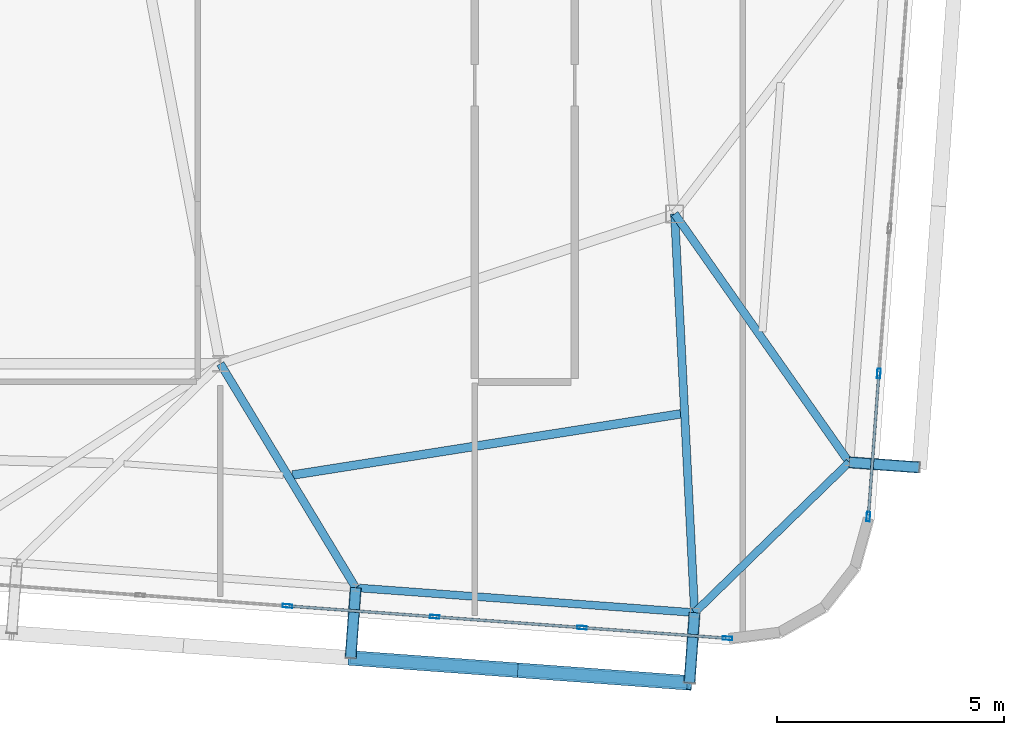
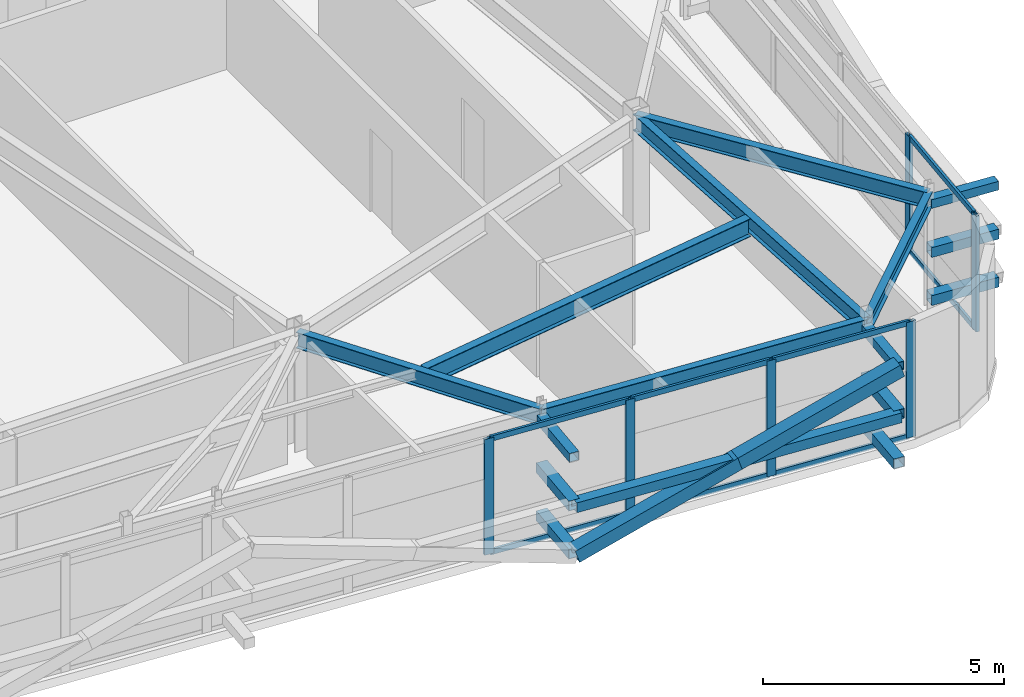
# One storey, part 19 of 42: 26 members, 6 beams, 2 elements without a shape of their own.
"""IFC4 building model written with IfcOpenShell, lengths in metres."""

from ifc_helpers import new_model, si_unit, direction, frame, origin, origin_2d, place, context, subcontext, project, spatial, hollow_rectangle, i_section, extrude, source, transform, mapped, material, layer, layer_set, material_profile, profile_set, type_object, element, aggregate, save


model = new_model("IFC4")

# Units and contexts
model_context = context("Model", 3, precision=1e-05, world=origin(), true_north=direction((0.0, 1.0)))
body_context = subcontext(model_context, "Body", "Model", "MODEL_VIEW")
ifc_project = project(units=[si_unit("LENGTHUNIT", "METRE"), si_unit("AREAUNIT", "SQUARE_METRE"), si_unit("VOLUMEUNIT", "CUBIC_METRE"), si_unit("PLANEANGLEUNIT", "RADIAN"), si_unit("MASSUNIT", "GRAM", prefix="KILO")], contexts=[model_context])

# Site, building, storey
site_placement = place(None, origin())
site = spatial("IfcSite", under=ifc_project, at=site_placement, CompositionType="ELEMENT")
building_placement = place(site_placement, origin())
building = spatial("IfcBuilding", under=site, at=building_placement, Name="Taldren Reach Tower", CompositionType="ELEMENT")
storey_placement = place(building_placement, frame((0.0, 0.0, 217.699951171875)))
storey = spatial("IfcBuildingStorey", under=building, at=storey_placement, Name="L66", CompositionType="ELEMENT", Elevation=217.699951171875)

# Members
ifc_material_1 = material(Name="Steel Gr 350 (C350L0)", Category="steel")
ifc_material_profile_1 = material_profile(ifc_material_1, hollow_rectangle(XDim=0.25, YDim=0.25, WallThickness=0.010009765625, at=origin_2d()), Name="250x250x10.0SHS")
ifc_profile_set_1 = profile_set([ifc_material_profile_1], Name="Steel Gr 350 (C350L0)")
member_type_1 = type_object("IfcMemberType", Name="MB-POST250", PredefinedType="POST", material=ifc_profile_set_1)
shared_shape_1 = source(origin(), body_context, "Body", "SweptSolid", [
    extrude(hollow_rectangle(XDim=0.25, YDim=0.25, WallThickness=0.010009765625, at=origin_2d()), origin(), (0.0, 0.0, 1.0), 1.550048828125),
])
for number, where, z_axis, x_axis, name in (
    (1, (44.980224609375, 4.26904296875, 0.219970703125), (-0.07323929162, -0.997314396849, 0.0), (0.997314396849, -0.07323929162, 0.0), "Exoskeleton base diaphragm tie strut B5-S5 L66"),
    (2, (52.440185546875, 3.72119140625, 0.219970703125), (-0.07323929162, -0.997314396849, 0.0), (0.997314396849, -0.07323929162, 0.0), "Exoskeleton base diaphragm tie strut B5-S6 L66"),
    (3, (44.980224609375, 4.26904296875, 1.43505859375), (-0.07323929162, -0.997314396849, 0.0), (0.997314396849, -0.07323929162, 0.0), "Exoskeleton mid-tier diaphragm tie B5-S5 L66"),
    (4, (52.440185546875, 3.72119140625, 1.43505859375), (-0.07323929162, -0.997314396849, 0.0), (0.997314396849, -0.07323929162, 0.0), "Exoskeleton mid-tier diaphragm tie B5-S6 L66"),
):
    element("IfcMember", number, at=place(storey_placement, frame(where, z_axis=z_axis, x_axis=x_axis)), inside=storey, type_object=member_type_1, Name=name, PredefinedType="POST", context=body_context, shape_type="MappedRepresentation", body=[
        mapped(shared_shape_1, transform((0.0, 0.0, 0.0), scale=1.0)),
    ])
ifc_material_2 = material(Name="Steel Gr 450 (C450L0)", Category="steel")
ifc_material_profile_2 = material_profile(ifc_material_2, hollow_rectangle(XDim=0.219970703125, YDim=0.219970703125, WallThickness=0.00830078125, at=origin_2d()), Name="220x220x8.2SHS")
ifc_profile_set_2 = profile_set([ifc_material_profile_2], Name="Steel Gr 450 (C450L0)")
member_type_2 = type_object("IfcMemberType", Name="MB-TIE219", PredefinedType="STRUT", material=ifc_profile_set_2)
shared_shape_2 = source(origin(), body_context, "Body", "SweptSolid", [
    extrude(hollow_rectangle(XDim=0.219970703125, YDim=0.219970703125, WallThickness=0.00830078125, at=origin_2d()), origin(), (0.0, 0.0, 1.0), 1.550048828125),
])
for number, where, z_axis, x_axis, name in (
    (5, (44.980224609375, 4.26904296875, 2.650146484375), (-0.07323929162, -0.997314396849, 0.0), (0.997314396849, -0.07323929162, 0.0), "Exoskeleton diaphragm tie strut B5-S5 L66"),
    (6, (52.440185546875, 3.72119140625, 2.650146484375), (-0.07323929162, -0.997314396849, 0.0), (0.997314396849, -0.07323929162, 0.0), "Exoskeleton diaphragm tie strut B5-S6 L66"),
):
    element("IfcMember", number, at=place(storey_placement, frame(where, z_axis=z_axis, x_axis=x_axis)), inside=storey, type_object=member_type_2, Name=name, PredefinedType="STRUT", context=body_context, shape_type="MappedRepresentation", body=[
        mapped(shared_shape_2, transform((0.0, 0.0, 0.0), scale=1.0)),
    ])

# Beams
ifc_material_3 = material(Name="Steel Gr 350 (350PLUS)", Category="steel")
ifc_material_profile_3 = material_profile(ifc_material_3, i_section(OverallWidth=0.172119140625, OverallDepth=0.35888671875, WebThickness=0.008056640625, FlangeThickness=0.012939453125, at=origin_2d()), Name="360UB56.7")
ifc_profile_set_3 = profile_set([ifc_material_profile_3], Name="Steel Gr 350 (350PLUS)")
beam_type_1 = type_object("IfcBeamType", Name="SP-UB360", PredefinedType="SPANDREL", material=ifc_profile_set_3)
shared_shape_3 = source(origin(), body_context, "Body", "SweptSolid", [
    extrude(i_section(OverallWidth=0.172119140625, OverallDepth=0.35888671875, WebThickness=0.008056640625, FlangeThickness=0.012939453125, at=origin_2d()), origin(), (0.0, 0.0, 1.0), 7.47998046875),
])
beam_1_placement = place(storey_placement, frame((44.980224609375, 4.26904296875, 2.75048828125), z_axis=(0.997314220642, -0.07324169103, 0.0), x_axis=(0.07324169103, 0.997314220642, 0.0)))
element("IfcBeam", 7, at=beam_1_placement, inside=storey, type_object=beam_type_1, Name="Perimeter spandrel B5 S5-S6 L66", PredefinedType="SPANDREL", context=body_context, shape_type="MappedRepresentation", body=[
    mapped(shared_shape_3, transform((0.0, 0.0, 0.0), scale=1.0)),
])
shared_shape_4 = source(origin(), body_context, "Body", "SweptSolid", [
    extrude(i_section(OverallWidth=0.172119140625, OverallDepth=0.35888671875, WebThickness=0.008056640625, FlangeThickness=0.012939453125, at=origin_2d()), origin(), (0.0, 0.0, 1.0), 4.74609375),
])
beam_2_placement = place(storey_placement, frame((52.440185546875, 3.72119140625, 2.75048828125), z_axis=(0.716711338436, 0.697369957309, 0.0), x_axis=(-0.697369957309, 0.716711338436, 0.0)))
element("IfcBeam", 8, at=beam_2_placement, inside=storey, type_object=beam_type_1, Name="Perimeter spandrel B5 S6-E1 L66", PredefinedType="SPANDREL", context=body_context, shape_type="MappedRepresentation", body=[
    mapped(shared_shape_4, transform((0.0, 0.0, 0.0), scale=1.0)),
])
ifc_material_profile_4 = material_profile(ifc_material_3, i_section(OverallWidth=0.177978515625, OverallDepth=0.406005859375, WebThickness=0.0078125, FlangeThickness=0.0126953125, at=origin_2d()), Name="410UB59.7")
ifc_profile_set_4 = profile_set([ifc_material_profile_4], Name="Steel Gr 350 (350PLUS)")
beam_type_2 = type_object("IfcBeamType", Name="BM-UB410", PredefinedType="BEAM", material=ifc_profile_set_4)
shared_shape_5 = source(origin(), body_context, "Body", "SweptSolid", [
    extrude(i_section(OverallWidth=0.177978515625, OverallDepth=0.406005859375, WebThickness=0.0078125, FlangeThickness=0.0126953125, at=origin_2d()), origin(), (0.0, 0.0, 1.0), 5.761474609375),
])
beam_3_placement = place(storey_placement, frame((42.0, 9.199951171875, 2.72705078125), z_axis=(0.517259852514, -0.855828396922, 0.0), x_axis=(0.855828396922, 0.517259852514, 0.0)))
element("IfcBeam", 9, at=beam_3_placement, inside=storey, type_object=beam_type_2, Name="Primary floor girder B5-S5 L66", PredefinedType="BEAM", context=body_context, shape_type="MappedRepresentation", body=[
    mapped(shared_shape_5, transform((0.0, 0.0, 0.0), scale=1.0)),
])
shared_shape_6 = source(origin(), body_context, "Body", "SweptSolid", [
    extrude(i_section(OverallWidth=0.177978515625, OverallDepth=0.406005859375, WebThickness=0.0078125, FlangeThickness=0.0126953125, at=origin_2d()), origin(), (0.0, 0.0, 1.0), 8.789794921875),
])
beam_4_placement = place(storey_placement, frame((52.0, 12.5, 2.72705078125), z_axis=(0.050078917367, -0.998745263836, 0.0), x_axis=(0.998745263836, 0.050078917367, 0.0)))
element("IfcBeam", 10, at=beam_4_placement, inside=storey, type_object=beam_type_2, Name="Primary floor girder B5-S6 L66", PredefinedType="BEAM", context=body_context, shape_type="MappedRepresentation", body=[
    mapped(shared_shape_6, transform((0.0, 0.0, 0.0), scale=1.0)),
])
shared_shape_7 = source(origin(), body_context, "Body", "SweptSolid", [
    extrude(i_section(OverallWidth=0.177978515625, OverallDepth=0.406005859375, WebThickness=0.0078125, FlangeThickness=0.0126953125, at=origin_2d()), origin(), (0.0, 0.0, 1.0), 6.68359375),
])
beam_5_placement = place(storey_placement, frame((52.0, 12.5, 2.72705078125), z_axis=(0.574817292651, -0.818281785249, 0.0), x_axis=(0.818281785249, 0.574817292651, 0.0)))
element("IfcBeam", 11, at=beam_5_placement, inside=storey, type_object=beam_type_2, Name="Primary floor girder B5-E1 L66", PredefinedType="BEAM", context=body_context, shape_type="MappedRepresentation", body=[
    mapped(shared_shape_7, transform((0.0, 0.0, 0.0), scale=1.0)),
])
ifc_material_profile_5 = material_profile(ifc_material_3, i_section(OverallWidth=0.19091796875, OverallDepth=0.4599609375, WebThickness=0.010009765625, FlangeThickness=0.01611328125, at=origin_2d()), Name="460UB82.1")
ifc_profile_set_5 = profile_set([ifc_material_profile_5], Name="Steel Gr 350 (350PLUS)")
beam_type_3 = type_object("IfcBeamType", Name="BM-UB460A", PredefinedType="BEAM", material=ifc_profile_set_5)
shared_shape_8 = source(origin(), body_context, "Body", "SweptSolid", [
    extrude(i_section(OverallWidth=0.19091796875, OverallDepth=0.4599609375, WebThickness=0.010009765625, FlangeThickness=0.01611328125, at=origin_2d()), origin(), (0.0, 0.0, 1.0), 8.65185546875),
])
beam_6_placement = place(storey_placement, frame((43.585205078125, 6.74951171875, 2.699951171875), z_axis=(0.987803200413, 0.155707537562, 0.0), x_axis=(-0.155707537562, 0.987803200413, 0.0)))
element("IfcBeam", 12, at=beam_6_placement, inside=storey, type_object=beam_type_3, Name="Secondary floor beam B5 J5 L66", PredefinedType="BEAM", context=body_context, shape_type="MappedRepresentation", body=[
    mapped(shared_shape_8, transform((0.0, 0.0, 0.0), scale=1.0)),
])

# Members
shared_shape_9 = source(origin(), body_context, "Body", "SweptSolid", [
    extrude(hollow_rectangle(XDim=0.219970703125, YDim=0.219970703125, WallThickness=0.00830078125, at=origin_2d()), origin(), (0.0, 0.0, 1.0), 1.546142578125),
])
member_1_placement = place(storey_placement, frame((55.845703125, 7.030517578125, 2.650146484375), z_axis=(0.997323903953, -0.073109716202, 0.0), x_axis=(0.073109716202, 0.997323903953, 0.0)))
element("IfcMember", 13, at=member_1_placement, inside=storey, type_object=member_type_2, Name="Exoskeleton diaphragm tie strut B5-E1 L66", PredefinedType="STRUT", context=body_context, shape_type="MappedRepresentation", body=[
    mapped(shared_shape_9, transform((0.0, 0.0, 0.0), scale=1.0)),
])
ifc_material_profile_6 = material_profile(ifc_material_2, hollow_rectangle(XDim=0.324951171875, YDim=0.324951171875, WallThickness=0.0126953125, at=origin_2d()), Name="325x325x12.7SHS")
ifc_profile_set_6 = profile_set([ifc_material_profile_6], Name="Steel Gr 450 (C450L0)")
member_type_3 = type_object("IfcMemberType", Name="MB-BR324", PredefinedType="BRACE", material=ifc_profile_set_6)
shared_shape_10 = source(origin(), body_context, "Body", "SweptSolid", [
    extrude(hollow_rectangle(XDim=0.324951171875, YDim=0.324951171875, WallThickness=0.0126953125, at=origin_2d()), origin(), (0.0, 0.0, 1.0), 3.932373046875),
])
for number, where, z_axis, x_axis, name in (
    (14, (44.86669921875, 2.72314453125, 0.219970703125), (0.948511132845, -0.069657644394, 0.308989390507), (0.07324169103, 0.997314220642, 0.0), "Exoskeleton Diagrid Brace B5-S5 L66"),
    (15, (48.5966796875, 2.44921875, 1.43505859375), (0.948511132845, -0.069657644394, 0.308989390507), (0.07324169103, 0.997314220642, 0.0), "Exoskeleton Diagrid Brace B5-S5 L66"),
):
    element("IfcMember", number, at=place(storey_placement, frame(where, z_axis=z_axis, x_axis=x_axis)), inside=storey, type_object=member_type_3, Name=name, PredefinedType="BRACE", context=body_context, shape_type="MappedRepresentation", body=[
        mapped(shared_shape_10, transform((0.0, 0.0, 0.0), scale=1.0)),
    ])
shared_shape_11 = source(origin(), body_context, "Body", "SweptSolid", [
    extrude(hollow_rectangle(XDim=0.25, YDim=0.25, WallThickness=0.010009765625, at=origin_2d()), origin(), (0.0, 0.0, 1.0), 7.47998046875),
])
member_2_placement = place(storey_placement, frame((44.86669921875, 2.72314453125, 1.43505859375), z_axis=(0.997314220642, -0.07324169103, 0.0), x_axis=(0.07324169103, 0.997314220642, 0.0)))
element("IfcMember", 16, at=member_2_placement, inside=storey, type_object=member_type_1, Name="Exoskeleton mid-height ring chord B5-S5 L66", PredefinedType="POST", context=body_context, shape_type="MappedRepresentation", body=[
    mapped(shared_shape_11, transform((0.0, 0.0, 0.0), scale=1.0)),
])
shared_shape_12 = source(origin(), body_context, "Body", "SweptSolid", [
    extrude(hollow_rectangle(XDim=0.25, YDim=0.25, WallThickness=0.010009765625, at=origin_2d()), origin(), (0.0, 0.0, 1.0), 1.546142578125),
])
for number, where, z_axis, x_axis, name in (
    (17, (55.845703125, 7.030517578125, 0.219970703125), (0.997323903953, -0.073109716202, 0.0), (0.073109716202, 0.997323903953, 0.0), "Exoskeleton base diaphragm tie strut B5-E1 L66"),
    (18, (55.845703125, 7.030517578125, 1.43505859375), (0.997323903953, -0.073109716202, 0.0), (0.073109716202, 0.997323903953, 0.0), "Exoskeleton mid-tier diaphragm tie B5-E1 L66"),
):
    element("IfcMember", number, at=place(storey_placement, frame(where, z_axis=z_axis, x_axis=x_axis)), inside=storey, type_object=member_type_1, Name=name, PredefinedType="POST", context=body_context, shape_type="MappedRepresentation", body=[
        mapped(shared_shape_12, transform((0.0, 0.0, 0.0), scale=1.0)),
    ])

# Curtain wall, members
ifc_material_4 = material(Name="Aluminium and Low-E Glass Unitised System", Category="aluminium")
ifc_layer = layer(ifc_material_4, 0.159912109375)
ifc_layer_set = layer_set([ifc_layer], Name="Aluminium and Low-E Glass Unitised System")
curtain_wall_type = type_object("IfcCurtainWallType", Name="CW-SYS-6", PredefinedType="NOTDEFINED", material=ifc_layer_set)
curtain_wall_1_placement = place(storey_placement, origin())
curtain_wall_1 = element("IfcCurtainWall", 19, at=curtain_wall_1_placement, inside=storey, type_object=curtain_wall_type, Name="Unitised curtain wall CW-L66-S", PredefinedType="NOTDEFINED")
ifc_material_5 = material(Name="Anodised Aluminium 6063-T6", Category="aluminium")
ifc_material_profile_7 = material_profile(ifc_material_5, hollow_rectangle(XDim=0.074951171875, YDim=0.2099609375, WallThickness=0.00439453125, at=origin_2d()), Name="ALU-210x75x4.5RHS")
ifc_profile_set_7 = profile_set([ifc_material_profile_7], Name="Anodised Aluminium 6063-T6")
member_type_4 = type_object("IfcMemberType", Name="CW-MUL-200", PredefinedType="MULLION", material=ifc_profile_set_7)
shared_shape_13 = source(origin(), body_context, "Body", "SweptSolid", [
    extrude(hollow_rectangle(XDim=0.074951171875, YDim=0.2099609375, WallThickness=0.00439453125, at=origin_2d()), origin(), (0.0, 0.0, 1.0), 2.929931640625),
])
member_3_placement = place(storey_placement, frame((43.476806640625, 3.867919921875, 0.0), z_axis=(0.0, 0.0, 1.0), x_axis=(0.073238213716, 0.997314476006, 0.0)))
member_3 = element("IfcMember", 20, at=member_3_placement, type_object=member_type_4, Name="CW-6 mullion 10", PredefinedType="MULLION", context=body_context, shape_type="MappedRepresentation", body=[
    mapped(shared_shape_13, transform((0.0, 0.0, 0.0), scale=1.0)),
])
member_4_placement = place(storey_placement, frame((46.71826171875, 3.6298828125, 0.0), z_axis=(0.0, 0.0, 1.0), x_axis=(0.073238213716, 0.997314476006, 0.0)))
member_4 = element("IfcMember", 21, at=member_4_placement, type_object=member_type_4, Name="CW-6 mullion 11", PredefinedType="MULLION", context=body_context, shape_type="MappedRepresentation", body=[
    mapped(shared_shape_13, transform((0.0, 0.0, 0.0), scale=1.0)),
])
member_5_placement = place(storey_placement, frame((49.95947265625, 3.391845703125, 0.0), z_axis=(0.0, 0.0, 1.0), x_axis=(0.073238213716, 0.997314476006, 0.0)))
member_5 = element("IfcMember", 22, at=member_5_placement, type_object=member_type_4, Name="CW-6 mullion 12", PredefinedType="MULLION", context=body_context, shape_type="MappedRepresentation", body=[
    mapped(shared_shape_13, transform((0.0, 0.0, 0.0), scale=1.0)),
])
member_6_placement = place(storey_placement, frame((53.163330078125, 3.15673828125, 0.0), z_axis=(0.0, 0.0, 1.0), x_axis=(0.073238213716, 0.997314476006, 0.0)))
member_6 = element("IfcMember", 23, at=member_6_placement, type_object=member_type_4, Name="CW-6 mullion 13", PredefinedType="MULLION", context=body_context, shape_type="MappedRepresentation", body=[
    mapped(shared_shape_13, transform((0.0, 0.0, 0.0), scale=1.0)),
])

curtain_wall_2_placement = place(storey_placement, origin())
curtain_wall_2 = element("IfcCurtainWall", 24, at=curtain_wall_2_placement, inside=storey, type_object=curtain_wall_type, Name="Unitised curtain wall CW-L66-E", PredefinedType="NOTDEFINED")
member_7_placement = place(storey_placement, frame((56.26513671875, 5.834228515625, 0.0), z_axis=(0.0, 0.0, 1.0), x_axis=(-0.997314470951, 0.073238282558, 0.0)))
member_7 = element("IfcMember", 25, at=member_7_placement, type_object=member_type_4, Name="CW-6 mullion 1", PredefinedType="MULLION", context=body_context, shape_type="MappedRepresentation", body=[
    mapped(shared_shape_13, transform((0.0, 0.0, 0.0), scale=1.0)),
])
member_8_placement = place(storey_placement, frame((56.496826171875, 8.98828125, 0.0), z_axis=(0.0, 0.0, 1.0), x_axis=(-0.997314470951, 0.073238282558, 0.0)))
member_8 = element("IfcMember", 26, at=member_8_placement, type_object=member_type_4, Name="CW-6 mullion 2", PredefinedType="MULLION", context=body_context, shape_type="MappedRepresentation", body=[
    mapped(shared_shape_13, transform((0.0, 0.0, 0.0), scale=1.0)),
])

# Member
ifc_material_profile_8 = material_profile(ifc_material_5, hollow_rectangle(XDim=0.06005859375, YDim=0.135009765625, WallThickness=0.00341796875, at=origin_2d()), Name="ALU-135x60x3.5RHS")
ifc_profile_set_8 = profile_set([ifc_material_profile_8], Name="Anodised Aluminium 6063-T6")
member_type_5 = type_object("IfcMemberType", Name="CW-TRN-150", PredefinedType="USERDEFINED", material=ifc_profile_set_8)
shared_shape_14 = source(origin(), body_context, "Body", "SweptSolid", [
    extrude(hollow_rectangle(XDim=0.06005859375, YDim=0.135009765625, WallThickness=0.00341796875, at=origin_2d()), origin(), (0.0, 0.0, 1.0), 3.1748046875),
])
member_9_placement = place(storey_placement, frame((43.514404296875, 3.865234375, 0.030029296875), z_axis=(0.997316632709, -0.073208839104, 0.0), x_axis=(0.073208839104, 0.997316632709, 0.0)))
member_9 = element("IfcMember", 27, at=member_9_placement, type_object=member_type_5, Name="CW-6 transom 10.1", ObjectType="TRANSOM", PredefinedType="USERDEFINED", context=body_context, shape_type="MappedRepresentation", body=[
    mapped(shared_shape_14, transform((0.0, 0.0, 0.0), scale=1.0)),
])

member_10_placement = place(storey_placement, frame((43.514404296875, 3.865234375, 2.900146484375), z_axis=(0.997316632709, -0.073208839104, 0.0), x_axis=(0.073208839104, 0.997316632709, 0.0)))
member_10 = element("IfcMember", 28, at=member_10_placement, type_object=member_type_5, Name="CW-6 transom 10.2", ObjectType="TRANSOM", PredefinedType="USERDEFINED", context=body_context, shape_type="MappedRepresentation", body=[
    mapped(shared_shape_14, transform((0.0, 0.0, 0.0), scale=1.0)),
])

shared_shape_15 = source(origin(), body_context, "Body", "SweptSolid", [
    extrude(hollow_rectangle(XDim=0.06005859375, YDim=0.135009765625, WallThickness=0.00341796875, at=origin_2d()), origin(), (0.0, 0.0, 1.0), 3.175048828125),
])
member_11_placement = place(storey_placement, frame((46.755615234375, 3.627197265625, 0.030029296875), z_axis=(0.99731704481, -0.073203224877, 0.0), x_axis=(0.073203224877, 0.99731704481, 0.0)))
member_11 = element("IfcMember", 29, at=member_11_placement, type_object=member_type_5, Name="CW-6 transom 11.1", ObjectType="TRANSOM", PredefinedType="USERDEFINED", context=body_context, shape_type="MappedRepresentation", body=[
    mapped(shared_shape_15, transform((0.0, 0.0, 0.0), scale=1.0)),
])

member_12_placement = place(storey_placement, frame((46.755615234375, 3.627197265625, 2.900146484375), z_axis=(0.99731704481, -0.073203224877, 0.0), x_axis=(0.073203224877, 0.99731704481, 0.0)))
member_12 = element("IfcMember", 30, at=member_12_placement, type_object=member_type_5, Name="CW-6 transom 11.2", ObjectType="TRANSOM", PredefinedType="USERDEFINED", context=body_context, shape_type="MappedRepresentation", body=[
    mapped(shared_shape_15, transform((0.0, 0.0, 0.0), scale=1.0)),
])

shared_shape_16 = source(origin(), body_context, "Body", "SweptSolid", [
    extrude(hollow_rectangle(XDim=0.06005859375, YDim=0.135009765625, WallThickness=0.00341796875, at=origin_2d()), origin(), (0.0, 0.0, 1.0), 3.137451171875),
])
member_13_placement = place(storey_placement, frame((49.996826171875, 3.38916015625, 0.030029296875), z_axis=(0.997315736795, -0.073221043015, 0.0), x_axis=(0.073221043015, 0.997315736795, 0.0)))
member_13 = element("IfcMember", 31, at=member_13_placement, type_object=member_type_5, Name="CW-6 transom 12.1", ObjectType="TRANSOM", PredefinedType="USERDEFINED", context=body_context, shape_type="MappedRepresentation", body=[
    mapped(shared_shape_16, transform((0.0, 0.0, 0.0), scale=1.0)),
])

member_14_placement = place(storey_placement, frame((49.996826171875, 3.38916015625, 2.900146484375), z_axis=(0.997315736795, -0.073221043015, 0.0), x_axis=(0.073221043015, 0.997315736795, 0.0)))
member_14 = element("IfcMember", 32, at=member_14_placement, type_object=member_type_5, Name="CW-6 transom 12.2", ObjectType="TRANSOM", PredefinedType="USERDEFINED", context=body_context, shape_type="MappedRepresentation", body=[
    mapped(shared_shape_16, transform((0.0, 0.0, 0.0), scale=1.0)),
])

aggregate(curtain_wall_1, [member_3, member_4, member_5, member_6, member_9, member_10, member_11, member_12, member_13, member_14])

shared_shape_17 = source(origin(), body_context, "Body", "SweptSolid", [
    extrude(hollow_rectangle(XDim=0.06005859375, YDim=0.135009765625, WallThickness=0.00341796875, at=origin_2d()), origin(), (0.0, 0.0, 1.0), 3.08740234375),
])
member_15_placement = place(storey_placement, frame((56.26806640625, 5.87158203125, 0.030029296875), z_axis=(0.073225031802, 0.997315443938, 0.0), x_axis=(-0.997315443938, 0.073225031802, 0.0)))
member_15 = element("IfcMember", 33, at=member_15_placement, type_object=member_type_5, Name="CW-6 transom 1.1", ObjectType="TRANSOM", PredefinedType="USERDEFINED", context=body_context, shape_type="MappedRepresentation", body=[
    mapped(shared_shape_17, transform((0.0, 0.0, 0.0), scale=1.0)),
])

member_16_placement = place(storey_placement, frame((56.26806640625, 5.87158203125, 2.900146484375), z_axis=(0.073225031802, 0.997315443938, 0.0), x_axis=(-0.997315443938, 0.073225031802, 0.0)))
member_16 = element("IfcMember", 34, at=member_16_placement, type_object=member_type_5, Name="CW-6 transom 1.2", ObjectType="TRANSOM", PredefinedType="USERDEFINED", context=body_context, shape_type="MappedRepresentation", body=[
    mapped(shared_shape_17, transform((0.0, 0.0, 0.0), scale=1.0)),
])

aggregate(curtain_wall_2, [member_7, member_8, member_15, member_16])

save(model, "model.ifc")
